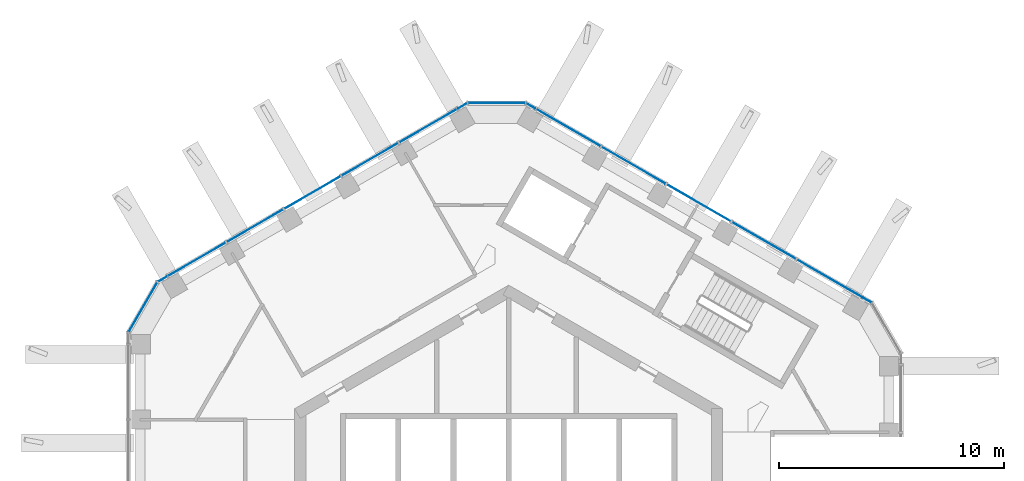
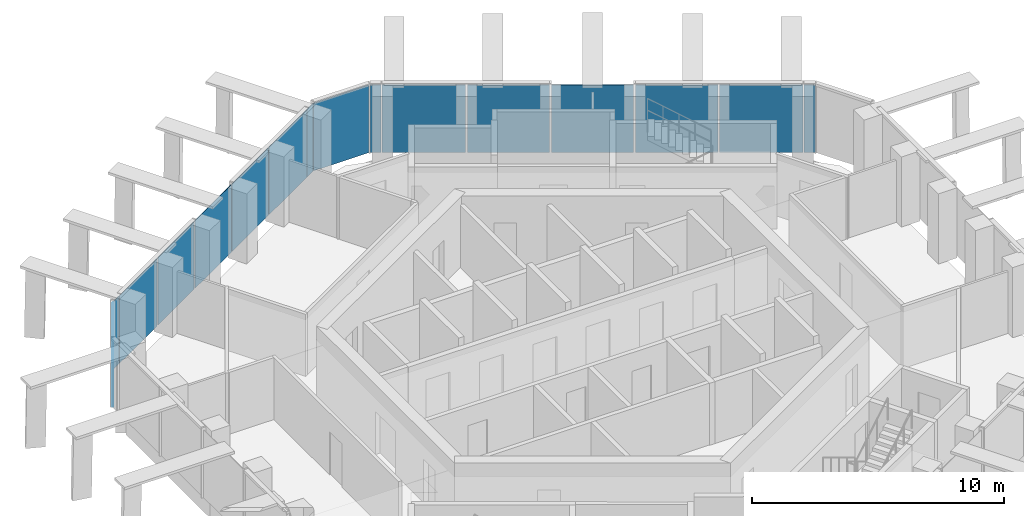
# One storey, part 10 of 17: 16 plates, 5 elements without a shape of their own.
"""IFC4 building model written with IfcOpenShell, lengths in metres."""

from ifc_helpers import new_model, si_unit, direction, frame, origin, origin_2d, place, context, subcontext, project, spatial, rectangle, extrude, material, layer, layer_set, type_object, element, aggregate, save


model = new_model("IFC4")

# Units and contexts
model_context = context("Model", 3, precision=1e-05, world=origin(), true_north=direction((0.0, 1.0)))
body_context = subcontext(model_context, "Body", "Model", "MODEL_VIEW")
ifc_project = project(units=[si_unit("LENGTHUNIT", "METRE"), si_unit("AREAUNIT", "SQUARE_METRE"), si_unit("VOLUMEUNIT", "CUBIC_METRE"), si_unit("PLANEANGLEUNIT", "RADIAN"), si_unit("MASSUNIT", "GRAM", prefix="KILO")], contexts=[model_context])

# Site, building, storey
site_placement = place(None, origin())
site = spatial("IfcSite", under=ifc_project, at=site_placement, CompositionType="ELEMENT")
building_placement = place(site_placement, origin())
building = spatial("IfcBuilding", under=site, at=building_placement, Name="Ayvan Gate Tower", CompositionType="ELEMENT")
storey_placement = place(building_placement, frame((0.0, 0.0, 249.5)))
storey = spatial("IfcBuildingStorey", under=building, at=storey_placement, Name="L67", CompositionType="ELEMENT", Elevation=249.5)

# Curtain wall, plates
ifc_material_1 = material(Name="Bronze anodised aluminium", Category="aluminium")
ifc_layer_1 = layer(ifc_material_1, 0.199951171875)
ifc_layer_set_1 = layer_set([ifc_layer_1], Name="Bronze anodised aluminium")
curtain_wall_type_1 = type_object("IfcCurtainWallType", Name="Stick curtain wall CW-2", PredefinedType="NOTDEFINED", material=ifc_layer_set_1)
curtain_wall_1_placement = place(storey_placement, origin())
curtain_wall_1 = element("IfcCurtainWall", 1, at=curtain_wall_1_placement, inside=storey, type_object=curtain_wall_type_1, Name="Stick curtain wall CW-2 L67", PredefinedType="NOTDEFINED")
ifc_material_2 = material(Name="Clear low-iron laminated glass", Category="glass")
ifc_layer_2 = layer(ifc_material_2, 0.028076171875)
ifc_layer_set_2 = layer_set([ifc_layer_2], Name="Clear low-iron laminated glass")
plate_type_1 = type_object("IfcPlateType", Name="Stick curtain wall CW-2 glass panel", PredefinedType="CURTAIN_PANEL", material=ifc_layer_set_2)
plate_1_placement = place(storey_placement, frame((-3.557373046875, 18.05224609375, 0.0), z_axis=(0.0, 0.0, 1.0), x_axis=(-0.866025403784, -0.5, 0.0)))
plate_1 = element("IfcPlate", 2, at=plate_1_placement, type_object=plate_type_1, Name="CW-2 glass panel 1", PredefinedType="CURTAIN_PANEL", context=body_context, shape_type="SweptSolid", body=[
    extrude(rectangle(XDim=2.97998046875, YDim=0.028076171875, at=origin_2d()), origin(), (0.0, 0.0, 1.0), 3.280029296875),
])
plate_2_placement = place(storey_placement, frame((-6.154296875, 16.552978515625, 0.0), z_axis=(0.0, 0.0, 1.0), x_axis=(-0.866025403784, -0.5, 0.0)))
plate_2 = element("IfcPlate", 3, at=plate_2_placement, type_object=plate_type_1, Name="CW-2 glass panel 2", PredefinedType="CURTAIN_PANEL", context=body_context, shape_type="SweptSolid", body=[
    extrude(rectangle(XDim=2.876953125, YDim=0.028076171875, at=origin_2d()), origin(), (0.0, 0.0, 1.0), 3.280029296875),
])
plate_3_placement = place(storey_placement, frame((-8.706298828125, 15.07958984375, 0.0), z_axis=(0.0, 0.0, 1.0), x_axis=(-0.866025403784, -0.5, 0.0)))
plate_3 = element("IfcPlate", 4, at=plate_3_placement, type_object=plate_type_1, Name="CW-2 glass panel 3", PredefinedType="CURTAIN_PANEL", context=body_context, shape_type="SweptSolid", body=[
    extrude(rectangle(XDim=2.876953125, YDim=0.028076171875, at=origin_2d()), origin(), (0.0, 0.0, 1.0), 3.280029296875),
])
plate_4_placement = place(storey_placement, frame((-11.258056640625, 13.606201171875, 0.0), z_axis=(0.0, 0.0, 1.0), x_axis=(-0.866025403784, -0.5, 0.0)))
plate_4 = element("IfcPlate", 5, at=plate_4_placement, type_object=plate_type_1, Name="CW-2 glass panel 4", PredefinedType="CURTAIN_PANEL", context=body_context, shape_type="SweptSolid", body=[
    extrude(rectangle(XDim=2.8759765625, YDim=0.028076171875, at=origin_2d()), origin(), (0.0, 0.0, 1.0), 3.280029296875),
])
plate_5_placement = place(storey_placement, frame((-13.854736328125, 12.107177734375, 0.0), z_axis=(0.0, 0.0, 1.0), x_axis=(-0.866025403784, -0.5, 0.0)))
plate_5 = element("IfcPlate", 6, at=plate_5_placement, type_object=plate_type_1, Name="CW-2 glass panel 5", PredefinedType="CURTAIN_PANEL", context=body_context, shape_type="SweptSolid", body=[
    extrude(rectangle(XDim=2.980712890625, YDim=0.028076171875, at=origin_2d()), origin(), (0.0, 0.0, 1.0), 3.280029296875),
])
aggregate(curtain_wall_1, [plate_1, plate_2, plate_3, plate_4, plate_5])

curtain_wall_2_placement = place(storey_placement, origin())
curtain_wall_2 = element("IfcCurtainWall", 7, at=curtain_wall_2_placement, inside=storey, type_object=curtain_wall_type_1, Name="Stick curtain wall CW-2 L67", PredefinedType="NOTDEFINED")
plate_6_placement = place(storey_placement, frame((14.242431640625, 11.2666015625, 0.0), z_axis=(0.0, 0.0, 1.0), x_axis=(-0.866025403784, 0.5, 0.0)))
plate_6 = element("IfcPlate", 8, at=plate_6_placement, type_object=plate_type_1, Name="CW-2 glass panel 1", PredefinedType="CURTAIN_PANEL", context=body_context, shape_type="SweptSolid", body=[
    extrude(rectangle(XDim=3.319091796875, YDim=0.028076171875, at=origin_2d()), origin(), (0.0, 0.0, 1.0), 3.280029296875),
])
plate_7_placement = place(storey_placement, frame((11.32958984375, 12.948486328125, 0.0), z_axis=(0.0, 0.0, 1.0), x_axis=(-0.866025403784, 0.5, 0.0)))
plate_7 = element("IfcPlate", 9, at=plate_7_placement, type_object=plate_type_1, Name="CW-2 glass panel 2", PredefinedType="CURTAIN_PANEL", context=body_context, shape_type="SweptSolid", body=[
    extrude(rectangle(XDim=3.26806640625, YDim=0.028076171875, at=origin_2d()), origin(), (0.0, 0.0, 1.0), 3.280029296875),
])
plate_8_placement = place(storey_placement, frame((8.439208984375, 14.6171875, 0.0), z_axis=(0.0, 0.0, 1.0), x_axis=(-0.866025403784, 0.5, 0.0)))
plate_8 = element("IfcPlate", 10, at=plate_8_placement, type_object=plate_type_1, Name="CW-2 glass panel 3", PredefinedType="CURTAIN_PANEL", context=body_context, shape_type="SweptSolid", body=[
    extrude(rectangle(XDim=3.26708984375, YDim=0.028076171875, at=origin_2d()), origin(), (0.0, 0.0, 1.0), 3.280029296875),
])
plate_9_placement = place(storey_placement, frame((5.548828125, 16.285888671875, 0.0), z_axis=(0.0, 0.0, 1.0), x_axis=(-0.866025403784, 0.5, 0.0)))
plate_9 = element("IfcPlate", 11, at=plate_9_placement, type_object=plate_type_1, Name="CW-2 glass panel 4", PredefinedType="CURTAIN_PANEL", context=body_context, shape_type="SweptSolid", body=[
    extrude(rectangle(XDim=3.26806640625, YDim=0.028076171875, at=origin_2d()), origin(), (0.0, 0.0, 1.0), 3.280029296875),
])
plate_10_placement = place(storey_placement, frame((2.635986328125, 17.967529296875, 0.0), z_axis=(0.0, 0.0, 1.0), x_axis=(-0.866025403784, 0.5, 0.0)))
plate_10 = element("IfcPlate", 12, at=plate_10_placement, type_object=plate_type_1, Name="CW-2 glass panel 5", PredefinedType="CURTAIN_PANEL", context=body_context, shape_type="SweptSolid", body=[
    extrude(rectangle(XDim=3.31884765625, YDim=0.028076171875, at=origin_2d()), origin(), (0.0, 0.0, 1.0), 3.280029296875),
])
aggregate(curtain_wall_2, [plate_6, plate_7, plate_8, plate_9, plate_10])

ifc_layer_3 = layer(ifc_material_1, 0.199951171875)
ifc_layer_set_3 = layer_set([ifc_layer_3], Name="Bronze anodised aluminium")
curtain_wall_type_2 = type_object("IfcCurtainWallType", Name="Stick curtain wall CW-6", PredefinedType="NOTDEFINED", material=ifc_layer_set_3)
curtain_wall_3_placement = place(storey_placement, origin())
curtain_wall_3 = element("IfcCurtainWall", 13, at=curtain_wall_3_placement, inside=storey, type_object=curtain_wall_type_2, Name="Stick curtain wall CW-6 L67", PredefinedType="NOTDEFINED")
ifc_layer_4 = layer(ifc_material_2, 0.028076171875)
ifc_layer_set_4 = layer_set([ifc_layer_4], Name="Clear low-iron laminated glass")
plate_type_2 = type_object("IfcPlateType", Name="Stick curtain wall CW-6 glass panel", PredefinedType="CURTAIN_PANEL", material=ifc_layer_set_4)
plate_11_placement = place(storey_placement, frame((-15.37060546875, 11.23193359375, 0.0), z_axis=(0.0, 0.0, 1.0), x_axis=(-0.866025403784, -0.5, 0.0)))
plate_11 = element("IfcPlate", 14, at=plate_11_placement, type_object=plate_type_2, Name="CW-6 glass panel 1", PredefinedType="CURTAIN_PANEL", context=body_context, shape_type="SweptSolid", body=[
    extrude(rectangle(XDim=0.449951171875, YDim=0.028076171875, at=origin_2d()), origin(), (0.0, 0.0, 1.0), 3.280029296875),
])
plate_12_placement = place(storey_placement, frame((-16.232666015625, 9.98876953125, 0.0), z_axis=(0.0, 0.0, 1.0), x_axis=(-0.5, -0.866025403784, 0.0)))
plate_12 = element("IfcPlate", 15, at=plate_12_placement, type_object=plate_type_2, Name="CW-6 glass panel 2", PredefinedType="CURTAIN_PANEL", context=body_context, shape_type="SweptSolid", body=[
    extrude(rectangle(XDim=2.532470703125, YDim=0.028076171875, at=origin_2d()), origin(), (0.0, 0.0, 1.0), 3.280029296875),
])
aggregate(curtain_wall_3, [plate_11, plate_12])

# Curtain wall, plate
curtain_wall_4_placement = place(storey_placement, origin())
curtain_wall_4 = element("IfcCurtainWall", 16, at=curtain_wall_4_placement, inside=storey, type_object=curtain_wall_type_2, Name="Stick curtain wall CW-6 L67", PredefinedType="NOTDEFINED")
plate_13_placement = place(storey_placement, frame((15.90478515625, 10.306884765625, 0.0), z_axis=(0.0, 0.0, 1.0), x_axis=(-0.866025403784, 0.5, 0.0)))
plate_13 = element("IfcPlate", 17, at=plate_13_placement, type_object=plate_type_2, Name="CW-6 glass panel 3", PredefinedType="CURTAIN_PANEL", context=body_context, shape_type="SweptSolid", body=[
    extrude(rectangle(XDim=0.449951171875, YDim=0.028076171875, at=origin_2d()), origin(), (0.0, 0.0, 1.0), 3.280029296875),
])
aggregate(curtain_wall_4, [plate_13])

# Curtain wall, plates
curtain_wall_5_placement = place(storey_placement, origin())
curtain_wall_5 = element("IfcCurtainWall", 18, at=curtain_wall_5_placement, inside=storey, type_object=curtain_wall_type_2, Name="Stick curtain wall CW-6 L67", PredefinedType="NOTDEFINED")
plate_14_placement = place(storey_placement, frame((0.9736328125, 18.92724609375, 0.0), z_axis=(0.0, 0.0, 1.0), x_axis=(-0.866025403784, 0.5, 0.0)))
plate_14 = element("IfcPlate", 19, at=plate_14_placement, type_object=plate_type_2, Name="CW-6 glass panel 1", PredefinedType="CURTAIN_PANEL", context=body_context, shape_type="SweptSolid", body=[
    extrude(rectangle(XDim=0.449951171875, YDim=0.028076171875, at=origin_2d()), origin(), (0.0, 0.0, 1.0), 3.280029296875),
])
plate_15_placement = place(storey_placement, frame((-0.5341796875, 19.05224609375, 0.0), z_axis=(0.0, 0.0, 1.0), x_axis=(-1.0, 0.0, 0.0)))
plate_15 = element("IfcPlate", 20, at=plate_15_placement, type_object=plate_type_2, Name="CW-6 glass panel 2", PredefinedType="CURTAIN_PANEL", context=body_context, shape_type="SweptSolid", body=[
    extrude(rectangle(XDim=2.532470703125, YDim=0.028076171875, at=origin_2d()), origin(), (0.0, 0.0, 1.0), 3.280029296875),
])
plate_16_placement = place(storey_placement, frame((-2.0419921875, 18.92724609375, 0.0), z_axis=(0.0, 0.0, 1.0), x_axis=(-0.866025403784, -0.5, 0.0)))
plate_16 = element("IfcPlate", 21, at=plate_16_placement, type_object=plate_type_2, Name="CW-6 glass panel 3", PredefinedType="CURTAIN_PANEL", context=body_context, shape_type="SweptSolid", body=[
    extrude(rectangle(XDim=0.449951171875, YDim=0.028076171875, at=origin_2d()), origin(), (0.0, 0.0, 1.0), 3.280029296875),
])
aggregate(curtain_wall_5, [plate_14, plate_15, plate_16])

save(model, "model.ifc")
